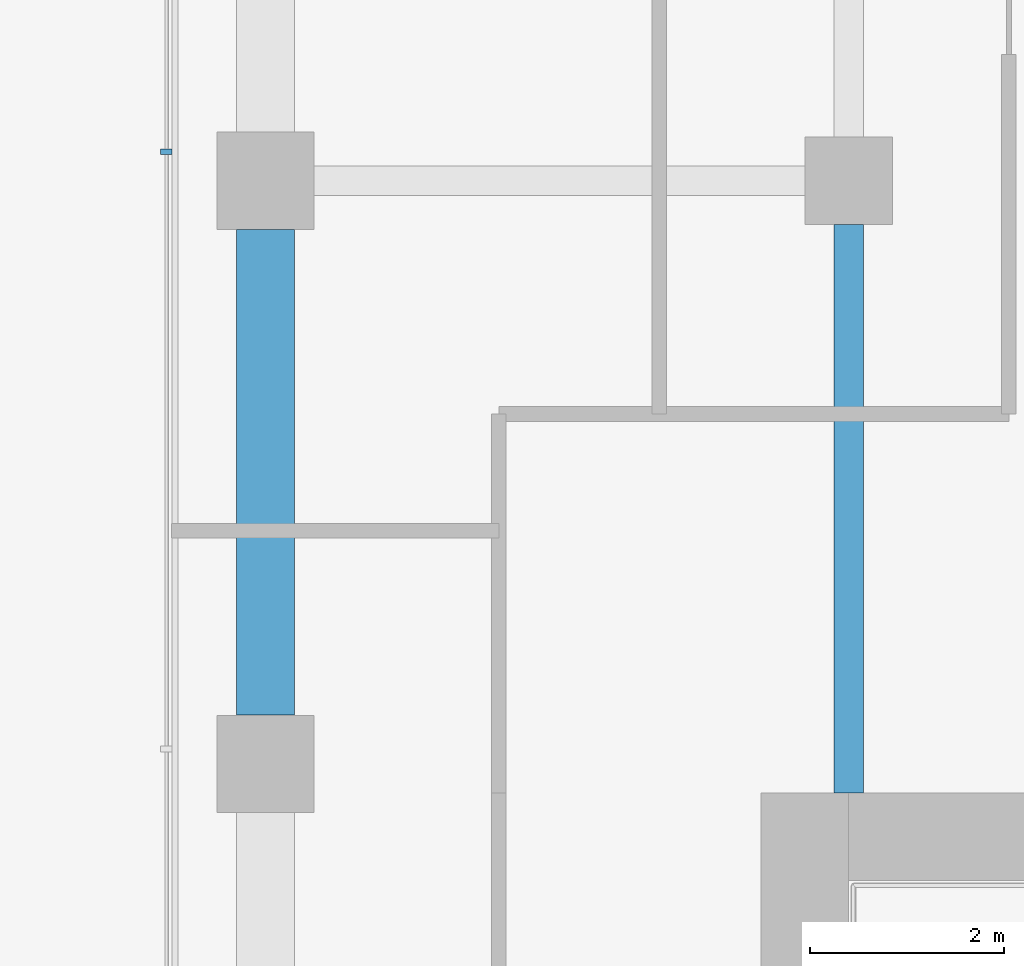
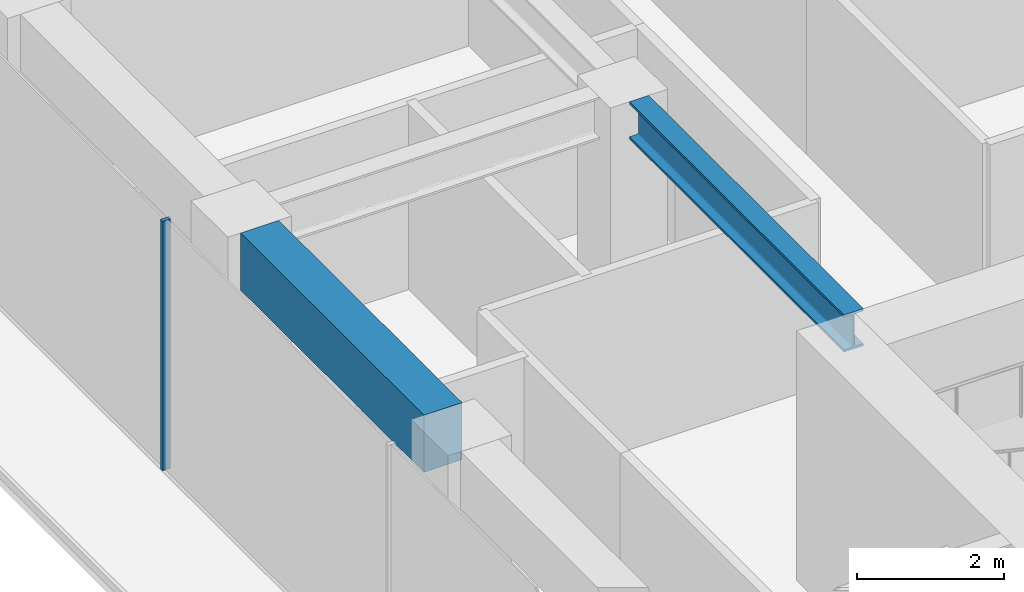
# One storey, part 11 of 24: 2 beams, 1 member, 1 element without a shape of its own.
"""IFC4 building model written with IfcOpenShell, lengths in metres."""

from ifc_helpers import new_model, si_unit, direction, frame, origin, origin_2d, place, context, subcontext, project, spatial, rectangle, i_section, extrude, material, layer, layer_set, material_profile, profile_set, type_object, element, aggregate, save


model = new_model("IFC4")

# Units and contexts
model_context = context("Model", 3, precision=1e-05, world=origin(), true_north=direction((0.0, 1.0)))
body_context = subcontext(model_context, "Body", "Model", "MODEL_VIEW")
ifc_project = project(units=[si_unit("LENGTHUNIT", "METRE"), si_unit("AREAUNIT", "SQUARE_METRE"), si_unit("VOLUMEUNIT", "CUBIC_METRE"), si_unit("PLANEANGLEUNIT", "RADIAN"), si_unit("MASSUNIT", "GRAM", prefix="KILO")], contexts=[model_context])

# Site, building, storey
site_placement = place(None, origin())
site = spatial("IfcSite", under=ifc_project, at=site_placement, CompositionType="ELEMENT")
building_placement = place(site_placement, origin())
building = spatial("IfcBuilding", under=site, at=building_placement, Name="Welwitschia Terrace Campus", CompositionType="ELEMENT")
storey_placement = place(building_placement, frame((0.0, 0.0, 15.5)))
storey = spatial("IfcBuildingStorey", under=building, at=storey_placement, Name="L03", CompositionType="ELEMENT", Elevation=15.5)

# Beam
ifc_material_1 = material(Name="Steel S355", Category="steel")
ifc_material_profile_1 = material_profile(ifc_material_1, i_section(OverallWidth=0.304931640625, OverallDepth=0.6201171875, WebThickness=0.02099609375, FlangeThickness=0.0400390625, FilletRadius=0.027099609375, at=origin_2d()))
ifc_profile_set_1 = profile_set([ifc_material_profile_1], Name="Steel S355")
beam_type_1 = type_object("IfcBeamType", Name="Interior girder HE 600 M", PredefinedType="BEAM", material=ifc_profile_set_1)
beam_1_placement = place(storey_placement, frame((6.0, 25.700927734375, 3.840087890625), z_axis=(0.0, 1.0, 0.0), x_axis=(-1.0, 0.0, 0.0)))
element("IfcBeam", 1, at=beam_1_placement, inside=storey, type_object=beam_type_1, Name="Girder GB1", PredefinedType="BEAM", context=body_context, shape_type="SweptSolid", body=[
    extrude(i_section(OverallWidth=0.304931640625, OverallDepth=0.6201171875, WebThickness=0.02099609375, FlangeThickness=0.0400390625, FilletRadius=0.027099609375, at=origin_2d()), origin(), (0.0, 0.0, 1.0), 5.8486328125),
])

# Curtain wall, member
ifc_material_2 = material(Name="Bronze anodised aluminium", Category="aluminium")
ifc_layer = layer(ifc_material_2, 0.1201171875)
ifc_layer_set = layer_set([ifc_layer], Name="Bronze anodised aluminium")
curtain_wall_type = type_object("IfcCurtainWallType", Name="Curtain wall CW2 tower 6000", PredefinedType="NOTDEFINED", material=ifc_layer_set)
curtain_wall_placement = place(storey_placement, origin())
curtain_wall = element("IfcCurtainWall", 2, at=curtain_wall_placement, inside=storey, type_object=curtain_wall_type, Name="CW L03.9.0", PredefinedType="NOTDEFINED")
ifc_material_3 = material(Name="Bronze anodised aluminium", Category="aluminium")
ifc_material_profile_2 = material_profile(ifc_material_3, rectangle(XDim=0.1201171875, YDim=0.06005859375, at=origin_2d()))
ifc_profile_set_2 = profile_set([ifc_material_profile_2], Name="Bronze anodised aluminium")
member_type = type_object("IfcMemberType", Name="Mullion 60x120", PredefinedType="MULLION", material=ifc_profile_set_2)
member_placement = place(storey_placement, frame((-1.02001953125, 32.298828125, 0.0), z_axis=(0.0, 0.0, 1.0), x_axis=(1.0, 0.0, 0.0)))
member = element("IfcMember", 3, at=member_placement, type_object=member_type, Name="Mullion L03.9.0.5", PredefinedType="MULLION", context=body_context, shape_type="SweptSolid", body=[
    extrude(rectangle(XDim=0.1201171875, YDim=0.06005859375, at=origin_2d()), origin(), (0.0, 0.0, 1.0), 4.14990234375),
])
aggregate(curtain_wall, [member])

# Beam
ifc_material_4 = material(Name="Concrete C60/75", Category="concrete")
ifc_material_profile_3 = material_profile(ifc_material_4, rectangle(XDim=0.60009765625, YDim=0.949951171875, at=origin_2d()))
ifc_profile_set_3 = profile_set([ifc_material_profile_3], Name="Concrete C60/75")
beam_type_2 = type_object("IfcBeamType", Name="Ring spandrel 600x950", PredefinedType="SPANDREL", material=ifc_profile_set_3)
beam_2_placement = place(storey_placement, frame((0.0, 31.49951171875, 3.675048828125), z_axis=(0.0, -1.0, 0.0), x_axis=(1.0, 0.0, 0.0)))
element("IfcBeam", 4, at=beam_2_placement, inside=storey, type_object=beam_type_2, Name="Spandrel SP1", PredefinedType="SPANDREL", context=body_context, shape_type="SweptSolid", body=[
    extrude(rectangle(XDim=0.60009765625, YDim=0.949951171875, at=origin_2d()), origin(), (0.0, 0.0, 1.0), 4.9990234375),
])

save(model, "model.ifc")
